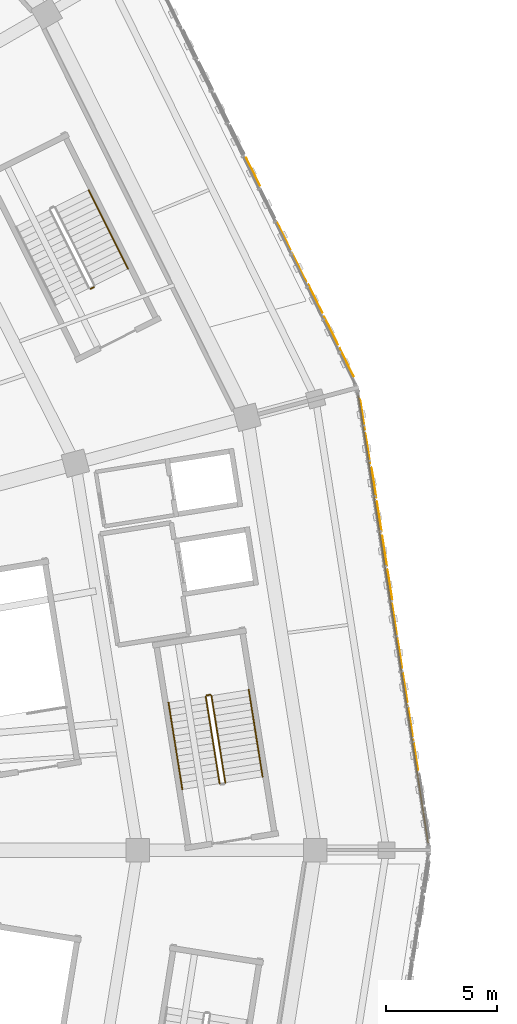
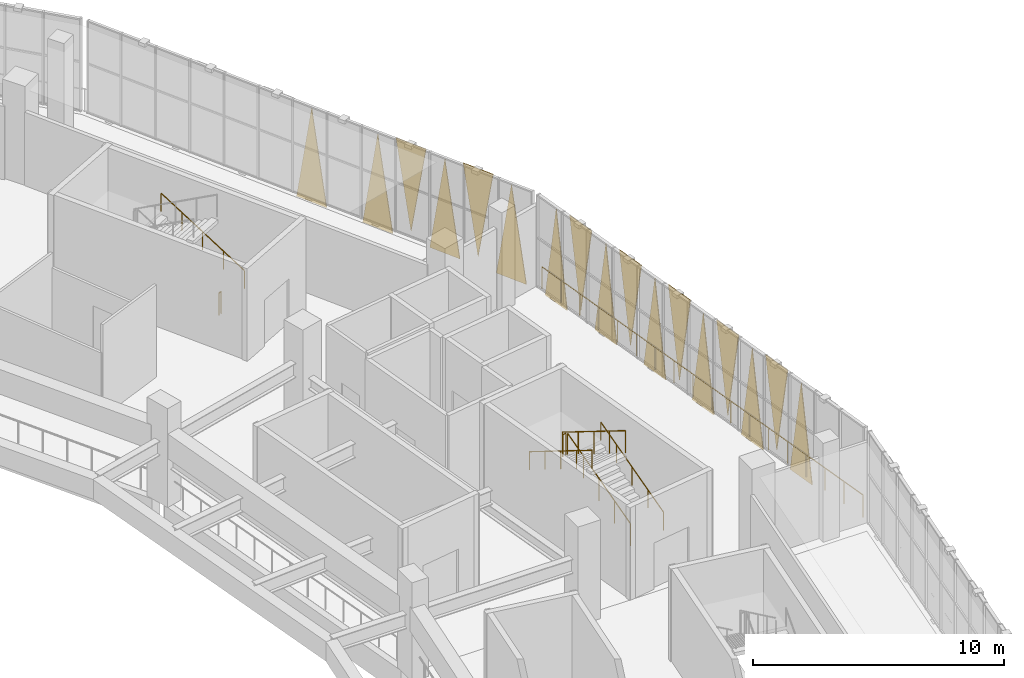
# One storey, part 155 of 179: 17 coverings, 8 railings.
"""IFC4 building model written with IfcOpenShell, lengths in metres."""

from ifc_helpers import new_model, si_unit, direction, frame, origin, origin_2d, place, context, subcontext, project, spatial, polyline, circle, outline, extrude, material, layer, layer_set, type_object, element, save


model = new_model("IFC4")

# Units and contexts
model_context = context("Model", 3, precision=1e-05, world=origin(), true_north=direction((0.0, 1.0)))
body_context = subcontext(model_context, "Body", "Model", "MODEL_VIEW")
ifc_project = project(units=[si_unit("LENGTHUNIT", "METRE"), si_unit("AREAUNIT", "SQUARE_METRE"), si_unit("VOLUMEUNIT", "CUBIC_METRE"), si_unit("PLANEANGLEUNIT", "RADIAN"), si_unit("MASSUNIT", "GRAM", prefix="KILO")], contexts=[model_context])

# Site, building, storey
site_placement = place(None, origin())
site = spatial("IfcSite", under=ifc_project, at=site_placement, CompositionType="ELEMENT")
building_placement = place(site_placement, origin())
building = spatial("IfcBuilding", under=site, at=building_placement, Name="Zevraka Park Crest Stadium", CompositionType="ELEMENT")
storey_placement = place(building_placement, frame((0.0, 0.0, 10.199951171875)))
storey = spatial("IfcBuildingStorey", under=building, at=storey_placement, Name="L02", CompositionType="ELEMENT", Elevation=10.199951171875)

# Coverings
ifc_material_1 = material(Name="Architectural golden-bronze perforated aluminium", Category="aluminium")
ifc_layer = layer(ifc_material_1, 0.034912109375)
ifc_layer_set = layer_set([ifc_layer], Name="Architectural golden-bronze perforated aluminium")
covering_type = type_object("IfcCoveringType", Name="CLD01", PredefinedType="CLADDING", material=ifc_layer_set)
covering_1_placement = place(storey_placement, frame((206.93896484375, 95.592041015625, -0.239990234375), z_axis=(0.988028734228, 0.154269923016, 0.000105795988), x_axis=(-0.15426992388, 0.988028739757, 0.0)))
element("IfcCovering", 1, at=covering_1_placement, inside=storey, type_object=covering_type, Name="Triangular Golden-Bronze Perforated Cladding L02-00-3", PredefinedType="CLADDING", context=body_context, shape_type="SweptSolid", body=[
    extrude(outline(polyline([(0.0, 0.0), (1.3926483179408142, 3.3881317890172014e-21), (0.6963994860816766, 4.560058619269892), (0.0, 0.0)])), origin(), (0.0, 0.0, -1.0), 0.034912109375),
])
covering_2_placement = place(storey_placement, frame((206.48388671875, 98.5029296875, 4.47998046875), z_axis=(0.988001994963, 0.154441049958, 0.000141555676), x_axis=(0.154441051505, -0.988002004861, 0.0)))
element("IfcCovering", 2, at=covering_2_placement, inside=storey, type_object=covering_type, Name="Triangular Golden-Bronze Perforated Cladding L02-00-4", PredefinedType="CLADDING", context=body_context, shape_type="SweptSolid", body=[
    extrude(outline(polyline([(0.0, 0.0), (1.392686002386334, 0.0), (0.6964372645302674, 4.260009808306059), (0.0, 0.0)])), origin(), (0.0, 0.0, -1.0), 0.034912109375),
])
covering_3_placement = place(storey_placement, frame((206.4599609375, 98.660888671875, -0.239990234375), z_axis=(0.988032905729, 0.154243206855, 0.000101667427), x_axis=(-0.154243207652, 0.988032910835, 0.0)))
element("IfcCovering", 3, at=covering_3_placement, inside=storey, type_object=covering_type, Name="Triangular Golden-Bronze Perforated Cladding L02-00-5", PredefinedType="CLADDING", context=body_context, shape_type="SweptSolid", body=[
    extrude(outline(polyline([(0.0, 0.0), (1.3928895364040654, 0.0), (0.696640691754455, 4.560058617316989), (0.0, 0.0)])), origin(), (0.0, 0.0, -1.0), 0.034912109375),
])
covering_4_placement = place(storey_placement, frame((206.0048828125, 101.571044921875, 4.47998046875), z_axis=(0.988001994963, 0.154441049958, 0.000141555676), x_axis=(0.154441051505, -0.988002004861, 0.0)))
element("IfcCovering", 4, at=covering_4_placement, inside=storey, type_object=covering_type, Name="Triangular Golden-Bronze Perforated Cladding L02-00-6", PredefinedType="CLADDING", context=body_context, shape_type="SweptSolid", body=[
    extrude(outline(polyline([(0.0, 0.0), (1.392686002386334, 0.0), (0.6964372645302674, 4.260009808306059), (0.0, 0.0)])), origin(), (0.0, 0.0, -1.0), 0.034912109375),
])
covering_5_placement = place(storey_placement, frame((205.97998046875, 101.72900390625, -0.239990234375), z_axis=(0.988151922623, 0.153478915641, 1.6434192e-05), x_axis=(-0.153478915662, 0.988151922756, 0.0)))
element("IfcCovering", 5, at=covering_5_placement, inside=storey, type_object=covering_type, Name="Triangular Golden-Bronze Perforated Cladding L02-00-7", PredefinedType="CLADDING", context=body_context, shape_type="SweptSolid", body=[
    extrude(outline(polyline([(0.0, 0.0), (1.3934629820473974, 0.0), (0.6962489949676653, 4.560058594365796), (0.0, 0.0)])), origin(), (0.0, 0.0, -1.0), 0.034912109375),
])
covering_6_placement = place(storey_placement, frame((205.52587890625, 104.639892578125, 4.47998046875), z_axis=(-0.988002001298, -0.154441050948, 8.4933406e-05), x_axis=(0.154441051505, -0.988002004861, 0.0)))
element("IfcCovering", 6, at=covering_6_placement, inside=storey, type_object=covering_type, Name="Triangular Golden-Bronze Perforated Cladding L02-00-8", PredefinedType="CLADDING", context=body_context, shape_type="SweptSolid", body=[
    extrude(outline(polyline([(0.0, 0.0), (1.392686002386334, 3.3881317890172014e-21), (0.6962864431909069, -4.260009780990182), (0.0, 0.0)])), origin(), (0.0, 0.0, -1.0), 0.034912109375),
])
covering_7_placement = place(storey_placement, frame((205.5009765625, 104.798095703125, -0.239990234375), z_axis=(-0.988001996222, -0.154441050155, 0.000132241406), x_axis=(-0.154441051505, 0.988002004861, 0.0)))
element("IfcCovering", 7, at=covering_7_placement, inside=storey, type_object=covering_type, Name="Triangular Golden-Bronze Perforated Cladding L02-00-9", PredefinedType="CLADDING", context=body_context, shape_type="SweptSolid", body=[
    extrude(outline(polyline([(0.0, 0.0), (1.392686002386334, 0.0), (0.6962487378560668, -4.560058633622674), (0.0, 0.0)])), origin(), (0.0, 0.0, -1.0), 0.034912109375),
])
covering_8_placement = place(storey_placement, frame((205.047119140625, 107.7080078125, 4.47998046875), z_axis=(-0.988028733421, -0.15426992289, 0.000113247605), x_axis=(0.15426992388, -0.988028739757, 0.0)))
element("IfcCovering", 8, at=covering_8_placement, inside=storey, type_object=covering_type, Name="Triangular Golden-Bronze Perforated Cladding L02-00-10", PredefinedType="CLADDING", context=body_context, shape_type="SweptSolid", body=[
    extrude(outline(polyline([(0.0, 0.0), (1.3926483179408142, 0.0), (0.6962488318591378, -4.2600097929423555), (0.0, 0.0)])), origin(), (0.0, 0.0, -1.0), 0.034912109375),
])
covering_9_placement = place(storey_placement, frame((205.02197265625, 107.866943359375, -0.239990234375), z_axis=(-0.988001996222, -0.154441050155, 0.000132241406), x_axis=(-0.154441051505, 0.988002004861, 0.0)))
element("IfcCovering", 9, at=covering_9_placement, inside=storey, type_object=covering_type, Name="Triangular Golden-Bronze Perforated Cladding L02-00-11", PredefinedType="CLADDING", context=body_context, shape_type="SweptSolid", body=[
    extrude(outline(polyline([(0.0, 0.0), (1.392686002386334, 0.0), (0.6962487378560668, -4.560058633622674), (0.0, 0.0)])), origin(), (0.0, 0.0, -1.0), 0.034912109375),
])
covering_10_placement = place(storey_placement, frame((204.56689453125, 110.777099609375, 4.47998046875), z_axis=(0.988006174558, 0.154414305444, 0.000145981007), x_axis=(0.154414307089, -0.988006185085, 0.0)))
element("IfcCovering", 10, at=covering_10_placement, inside=storey, type_object=covering_type, Name="Triangular Golden-Bronze Perforated Cladding L02-00-12", PredefinedType="CLADDING", context=body_context, shape_type="SweptSolid", body=[
    extrude(outline(polyline([(0.0, 0.0), (1.3929272143236278, 0.0), (0.6964372479516526, 4.260009811016373), (0.0, 0.0)])), origin(), (0.0, 0.0, -1.0), 0.034912109375),
])
covering_11_placement = place(storey_placement, frame((204.54296875, 110.93505859375, -0.239990234375), z_axis=(0.988002001751, 0.154441051019, 7.9344844e-05), x_axis=(-0.154441051505, 0.988002004861, 0.0)))
element("IfcCovering", 11, at=covering_11_placement, inside=storey, type_object=covering_type, Name="Triangular Golden-Bronze Perforated Cladding L02-00-13", PredefinedType="CLADDING", context=body_context, shape_type="SweptSolid", body=[
    extrude(outline(polyline([(0.0, 0.0), (1.392686002386334, 0.0), (0.6963995591954273, 4.560058608104163), (0.0, 0.0)])), origin(), (0.0, 0.0, -1.0), 0.034912109375),
])
covering_12_placement = place(storey_placement, frame((204.011962890625, 113.31103515625, -0.239990234375), z_axis=(-0.897302423981, -0.441416274973, 0.000179183893), x_axis=(-0.441416282059, 0.897302438386, 0.0)))
element("IfcCovering", 12, at=covering_12_placement, inside=storey, type_object=covering_type, Name="Triangular Golden-Bronze Perforated Cladding L02-01-1", PredefinedType="CLADDING", context=body_context, shape_type="SweptSolid", body=[
    extrude(outline(polyline([(0.0, 0.0), (1.4341488213161262, 0.0), (0.7173526614858992, -4.560058666954599), (0.0, 0.0)])), origin(), (0.0, 0.0, -1.0), 0.034912109375),
])
covering_13_placement = place(storey_placement, frame((202.676025390625, 116.030029296875, 4.47998046875), z_axis=(-0.897468090022, -0.441079370248, 0.000128584459), x_axis=(0.441079373894, -0.897468097441, 0.0)))
element("IfcCovering", 13, at=covering_13_placement, inside=storey, type_object=covering_type, Name="Triangular Golden-Bronze Perforated Cladding L02-01-2", PredefinedType="CLADDING", context=body_context, shape_type="SweptSolid", body=[
    extrude(outline(polyline([(0.0, 0.0), (1.4352442623555979, 0.0), (0.7173529176927561, -4.260009800842423), (0.0, 0.0)])), origin(), (0.0, 0.0, -1.0), 0.034912109375),
])
covering_14_placement = place(storey_placement, frame((202.60498046875, 116.173095703125, -0.239990234375), z_axis=(-0.897704327288, -0.44059838926, 1.223648e-05), x_axis=(-0.440598389293, 0.897704327355, 0.0)))
element("IfcCovering", 14, at=covering_14_placement, inside=storey, type_object=covering_type, Name="Triangular Golden-Bronze Perforated Cladding L02-01-3", PredefinedType="CLADDING", context=body_context, shape_type="SweptSolid", body=[
    extrude(outline(polyline([(0.0, 0.0), (1.4345946183297689, -8.470329472543003e-22), (0.7171339421340435, -4.560058594091393), (0.0, 0.0)])), origin(), (0.0, 0.0, -1.0), 0.034912109375),
])
covering_15_placement = place(storey_placement, frame((201.26904296875, 118.89208984375, 4.47998046875), z_axis=(0.897335593243, 0.441348860637, 0.000127726581), x_axis=(0.441348864237, -0.897335600562, 0.0)))
element("IfcCovering", 15, at=covering_15_placement, inside=storey, type_object=covering_type, Name="Triangular Golden-Bronze Perforated Cladding L02-01-4", PredefinedType="CLADDING", context=body_context, shape_type="SweptSolid", body=[
    extrude(outline(polyline([(0.0, 0.0), (1.4343678933426742, 1.3552527156068805e-20), (0.7169074213039619, 4.26000980037407), (0.0, 0.0)])), origin(), (0.0, 0.0, -1.0), 0.034912109375),
])
covering_16_placement = place(storey_placement, frame((201.198974609375, 119.035888671875, -0.239990234375), z_axis=(0.89746809511, 0.441079372749, 7.2074213e-05), x_axis=(-0.441079373894, 0.897468097441, 0.0)))
element("IfcCovering", 16, at=covering_16_placement, inside=storey, type_object=covering_type, Name="Triangular Golden-Bronze Perforated Cladding L02-01-5", PredefinedType="CLADDING", context=body_context, shape_type="SweptSolid", body=[
    extrude(outline(polyline([(0.0, 0.0), (1.4352442623555979, 6.776263578034403e-21), (0.7177836592688246, 4.56005860559405), (0.0, 0.0)])), origin(), (0.0, 0.0, -1.0), 0.034912109375),
])
covering_17_placement = place(storey_placement, frame((199.7919921875, 121.89892578125, -0.239990234375), z_axis=(-0.897335598181, -0.441348863066, 7.2847268e-05), x_axis=(-0.441348864237, 0.897335600562, 0.0)))
element("IfcCovering", 17, at=covering_17_placement, inside=storey, type_object=covering_type, Name="Triangular Golden-Bronze Perforated Cladding L02-01-7", PredefinedType="CLADDING", context=body_context, shape_type="SweptSolid", body=[
    extrude(outline(polyline([(0.0, 0.0), (1.4343678933426742, -6.776263578034403e-21), (0.7164764165537303, -4.560058605849488), (0.0, 0.0)])), origin(), (0.0, 0.0, -1.0), 0.034912109375),
])

# Railings
ifc_material_2 = material(Name="Galvanised and bronze-finished steel balustrade", Category="steel")
railing_type_1 = type_object("IfcRailingType", Name="GR01", PredefinedType="GUARDRAIL", material=ifc_material_2)
railing_1_placement = place(storey_placement, frame((204.235107421875, 112.448974609375, 0.0)))
element("IfcRailing", 18, at=railing_1_placement, inside=storey, type_object=railing_type_1, Name="Deck Edge Protection Guardrail GR01 L02-21", PredefinedType="GUARDRAIL", context=body_context, shape_type="SweptSolid", body=[
    extrude(circle(Radius=0.02392578125, at=origin_2d()), frame((0.0, 0.0, 1.076171875), z_axis=(0.154303291999, -0.988023529112, 0.0), x_axis=(0.988023529112, 0.154303291999, 0.0)), (0.0, 0.0, 1.0), 20.342529296875),
    extrude(circle(Radius=0.02099609375, at=origin_2d()), origin(), (0.0, 0.0, 1.0), 1.052001953125),
    extrude(circle(Radius=0.02099609375, at=origin_2d()), frame((0.1845703125, -1.182373046875, 0.0)), (0.0, 0.0, 1.0), 1.052001953125),
    extrude(circle(Radius=0.02099609375, at=origin_2d()), frame((0.369384765625, -2.364501953125, 0.0)), (0.0, 0.0, 1.0), 1.052001953125),
    extrude(circle(Radius=0.02099609375, at=origin_2d()), frame((0.553955078125, -3.546875, 0.0)), (0.0, 0.0, 1.0), 1.052001953125),
    extrude(circle(Radius=0.02099609375, at=origin_2d()), frame((0.738525390625, -4.729248046875, 0.0)), (0.0, 0.0, 1.0), 1.052001953125),
    extrude(circle(Radius=0.02099609375, at=origin_2d()), frame((0.923095703125, -5.911376953125, 0.0)), (0.0, 0.0, 1.0), 1.052001953125),
    extrude(circle(Radius=0.02099609375, at=origin_2d()), frame((1.10791015625, -7.09375, 0.0)), (0.0, 0.0, 1.0), 1.052001953125),
    extrude(circle(Radius=0.02099609375, at=origin_2d()), frame((1.29248046875, -8.276123046875, 0.0)), (0.0, 0.0, 1.0), 1.052001953125),
    extrude(circle(Radius=0.02099609375, at=origin_2d()), frame((1.47705078125, -9.458251953125, 0.0)), (0.0, 0.0, 1.0), 1.052001953125),
    extrude(circle(Radius=0.02099609375, at=origin_2d()), frame((1.661865234375, -10.640625, 0.0)), (0.0, 0.0, 1.0), 1.052001953125),
    extrude(circle(Radius=0.02099609375, at=origin_2d()), frame((1.846435546875, -11.82275390625, 0.0)), (0.0, 0.0, 1.0), 1.052001953125),
    extrude(circle(Radius=0.02099609375, at=origin_2d()), frame((2.031005859375, -13.005126953125, 0.0)), (0.0, 0.0, 1.0), 1.052001953125),
    extrude(circle(Radius=0.02099609375, at=origin_2d()), frame((2.2158203125, -14.1875, 0.0)), (0.0, 0.0, 1.0), 1.052001953125),
    extrude(circle(Radius=0.02099609375, at=origin_2d()), frame((2.400390625, -15.36962890625, 0.0)), (0.0, 0.0, 1.0), 1.052001953125),
    extrude(circle(Radius=0.02099609375, at=origin_2d()), frame((2.5849609375, -16.552001953125, 0.0)), (0.0, 0.0, 1.0), 1.052001953125),
    extrude(circle(Radius=0.02099609375, at=origin_2d()), frame((2.76953125, -17.734375, 0.0)), (0.0, 0.0, 1.0), 1.052001953125),
    extrude(circle(Radius=0.02099609375, at=origin_2d()), frame((2.954345703125, -18.91650390625, 0.0)), (0.0, 0.0, 1.0), 1.052001953125),
    extrude(circle(Radius=0.02099609375, at=origin_2d()), frame((3.138916015625, -20.098876953125, 0.0)), (0.0, 0.0, 1.0), 1.052001953125),
])
ifc_material_3 = material(Name="Powder-coated tubular steel stairwell guard", Category="steel")
railing_type_2 = type_object("IfcRailingType", Name="GR03", PredefinedType="GUARDRAIL", material=ifc_material_3)
railing_2_placement = place(storey_placement, frame((198.24658203125, 95.039794921875, 0.17138671875)))
element("IfcRailing", 19, at=railing_2_placement, inside=storey, type_object=railing_type_2, Name="L02 ST01 stair guard 1", PredefinedType="GUARDRAIL", context=body_context, shape_type="SweptSolid", body=[
    extrude(circle(Radius=0.02392578125, at=origin_2d()), frame((0.0, 0.0, 1.076171875), z_axis=(-0.137090298971, 0.860866959629, 0.490014619931), x_axis=(-0.987556409005, -0.157265186968, 0.0)), (0.0, 0.0, 1.0), 4.54833984375),
    extrude(circle(Radius=0.02099609375, at=origin_2d()), origin(), (0.0, 0.0, 1.0), 1.052001953125),
    extrude(circle(Radius=0.02099609375, at=origin_2d()), frame((-0.15576171875, 0.97900390625, 0.55712890625)), (0.0, 0.0, 1.0), 1.052001953125),
    extrude(circle(Radius=0.02099609375, at=origin_2d()), frame((-0.311767578125, 1.957763671875, 1.1142578125)), (0.0, 0.0, 1.0), 1.052001953125),
    extrude(circle(Radius=0.02099609375, at=origin_2d()), frame((-0.4677734375, 2.9365234375, 1.671630859375)), (0.0, 0.0, 1.0), 1.052001953125),
    extrude(circle(Radius=0.02099609375, at=origin_2d()), frame((-0.62353515625, 3.91552734375, 2.228759765625)), (0.0, 0.0, 1.0), 1.052001953125),
])
railing_3_placement = place(storey_placement, frame((197.56591796875, 98.996826171875, 2.400146484375)))
element("IfcRailing", 20, at=railing_3_placement, inside=storey, type_object=railing_type_2, Name="L02 ST01 stair guard 2", PredefinedType="GUARDRAIL", context=body_context, shape_type="SweptSolid", body=[
    extrude(circle(Radius=0.02392578125, at=origin_2d()), frame((0.0, 0.0, 1.076171875), z_axis=(-0.987601795403, -0.15697991501, 0.0), x_axis=(0.15697991501, -0.987601795403, 0.0)), (0.0, 0.0, 1.0), 0.16015625),
    extrude(circle(Radius=0.02099609375, at=origin_2d()), origin(), (0.0, 0.0, 1.0), 1.052001953125),
    extrude(circle(Radius=0.02099609375, at=origin_2d()), frame((-0.158203125, -0.025146484375, 0.0)), (0.0, 0.0, 1.0), 1.052001953125),
])
railing_4_placement = place(storey_placement, frame((197.3662109375, 98.91455078125, 2.571533203125)))
element("IfcRailing", 21, at=railing_4_placement, inside=storey, type_object=railing_type_2, Name="L02 ST01 stair guard 3", PredefinedType="GUARDRAIL", context=body_context, shape_type="SweptSolid", body=[
    extrude(circle(Radius=0.02392578125, at=origin_2d()), frame((0.0, 0.0, 1.076171875), z_axis=(0.13708756972, -0.860903496765, 0.489951188881), x_axis=(0.987557931786, 0.157255624277, 0.0)), (0.0, 0.0, 1.0), 4.54833984375),
    extrude(circle(Radius=0.02099609375, at=origin_2d()), origin(), (0.0, 0.0, 1.0), 1.052001953125),
    extrude(circle(Radius=0.02099609375, at=origin_2d()), frame((0.15576171875, -0.97900390625, 0.55712890625)), (0.0, 0.0, 1.0), 1.052001953125),
    extrude(circle(Radius=0.02099609375, at=origin_2d()), frame((0.311767578125, -1.9580078125, 1.1142578125)), (0.0, 0.0, 1.0), 1.052001953125),
    extrude(circle(Radius=0.02099609375, at=origin_2d()), frame((0.4677734375, -2.936767578125, 1.67138671875)), (0.0, 0.0, 1.0), 1.052001953125),
    extrude(circle(Radius=0.02099609375, at=origin_2d()), frame((0.62353515625, -3.915771484375, 2.228515625)), (0.0, 0.0, 1.0), 1.052001953125),
])
railing_5_placement = place(storey_placement, frame((192.32421875, 117.34619140625, 0.0)))
element("IfcRailing", 22, at=railing_5_placement, inside=storey, type_object=railing_type_2, Name="L02 ST02 stair guard 4", PredefinedType="GUARDRAIL", context=body_context, shape_type="SweptSolid", body=[
    extrude(circle(Radius=0.02392578125, at=origin_2d()), frame((0.0, 0.0, 1.076171875), z_axis=(-0.894427191, -0.4472135955, 0.0), x_axis=(0.4472135955, -0.894427191, 0.0)), (0.0, 0.0, 1.0), 0.159912109375),
    extrude(circle(Radius=0.02099609375, at=origin_2d()), origin(), (0.0, 0.0, 1.0), 1.052001953125),
    extrude(circle(Radius=0.02099609375, at=origin_2d()), frame((-0.14306640625, -0.071533203125, 0.0)), (0.0, 0.0, 1.0), 1.052001953125),
])
ifc_material_4 = material(Name="Brushed stainless steel continuous handrail", Category="steel")
railing_type_3 = type_object("IfcRailingType", Name="HR01", PredefinedType="HANDRAIL", material=ifc_material_4)
railing_6_placement = place(storey_placement, frame((199.925537109375, 95.30712890625, 0.17138671875)))
element("IfcRailing", 23, at=railing_6_placement, inside=storey, type_object=railing_type_3, Name="L02 ST01 stair handrail 1", PredefinedType="HANDRAIL", context=body_context, shape_type="SweptSolid", body=[
    extrude(circle(Radius=0.02392578125, at=origin_2d()), frame((0.0, 0.0, 0.8759765625), z_axis=(-0.137090298971, 0.860866959629, 0.490014619931), x_axis=(-0.987556409005, -0.157265186968, 0.0)), (0.0, 0.0, 1.0), 4.54833984375),
    extrude(circle(Radius=0.02099609375, at=origin_2d()), origin(), (0.0, 0.0, 1.0), 0.851806640625),
    extrude(circle(Radius=0.02099609375, at=origin_2d()), frame((-0.15576171875, 0.97900390625, 0.55712890625)), (0.0, 0.0, 1.0), 0.851806640625),
    extrude(circle(Radius=0.02099609375, at=origin_2d()), frame((-0.311767578125, 1.957763671875, 1.1142578125)), (0.0, 0.0, 1.0), 0.851806640625),
    extrude(circle(Radius=0.02099609375, at=origin_2d()), frame((-0.4677734375, 2.9365234375, 1.671630859375)), (0.0, 0.0, 1.0), 0.851806640625),
    extrude(circle(Radius=0.02099609375, at=origin_2d()), frame((-0.62353515625, 3.91552734375, 2.228759765625)), (0.0, 0.0, 1.0), 0.851806640625),
])
railing_7_placement = place(storey_placement, frame((195.6875, 98.647216796875, 2.571533203125)))
element("IfcRailing", 24, at=railing_7_placement, inside=storey, type_object=railing_type_3, Name="L02 ST01 stair handrail 2", PredefinedType="HANDRAIL", context=body_context, shape_type="SweptSolid", body=[
    extrude(circle(Radius=0.02392578125, at=origin_2d()), frame((0.0, 0.0, 0.8759765625), z_axis=(0.13708756972, -0.860903496765, 0.489951188881), x_axis=(0.987557931786, 0.157255624277, 0.0)), (0.0, 0.0, 1.0), 4.54833984375),
    extrude(circle(Radius=0.02099609375, at=origin_2d()), origin(), (0.0, 0.0, 1.0), 0.851806640625),
    extrude(circle(Radius=0.02099609375, at=origin_2d()), frame((0.15576171875, -0.97900390625, 0.55712890625)), (0.0, 0.0, 1.0), 0.851806640625),
    extrude(circle(Radius=0.02099609375, at=origin_2d()), frame((0.311767578125, -1.9580078125, 1.1142578125)), (0.0, 0.0, 1.0), 0.851806640625),
    extrude(circle(Radius=0.02099609375, at=origin_2d()), frame((0.4677734375, -2.936767578125, 1.67138671875)), (0.0, 0.0, 1.0), 0.851806640625),
    extrude(circle(Radius=0.02099609375, at=origin_2d()), frame((0.62353515625, -3.915771484375, 2.228515625)), (0.0, 0.0, 1.0), 0.851806640625),
])
railing_8_placement = place(storey_placement, frame((193.866455078125, 118.1748046875, 0.17138671875)))
element("IfcRailing", 25, at=railing_8_placement, inside=storey, type_object=railing_type_3, Name="L02 ST02 stair handrail 1", PredefinedType="HANDRAIL", context=body_context, shape_type="SweptSolid", body=[
    extrude(circle(Radius=0.02392578125, at=origin_2d()), frame((0.0, 0.0, 0.8759765625), z_axis=(-0.390443708506, 0.77938447175, 0.490013832135), x_axis=(-0.894082100069, -0.447903112666, 0.0)), (0.0, 0.0, 1.0), 4.54833984375),
    extrude(circle(Radius=0.02099609375, at=origin_2d()), origin(), (0.0, 0.0, 1.0), 0.851806640625),
    extrude(circle(Radius=0.02099609375, at=origin_2d()), frame((-0.44384765625, 0.88623046875, 0.55712890625)), (0.0, 0.0, 1.0), 0.851806640625),
    extrude(circle(Radius=0.02099609375, at=origin_2d()), frame((-0.887939453125, 1.7724609375, 1.1142578125)), (0.0, 0.0, 1.0), 0.851806640625),
    extrude(circle(Radius=0.02099609375, at=origin_2d()), frame((-1.33203125, 2.65869140625, 1.671630859375)), (0.0, 0.0, 1.0), 0.851806640625),
    extrude(circle(Radius=0.02099609375, at=origin_2d()), frame((-1.77587890625, 3.544921875, 2.228759765625)), (0.0, 0.0, 1.0), 0.851806640625),
])

save(model, "model.ifc")
